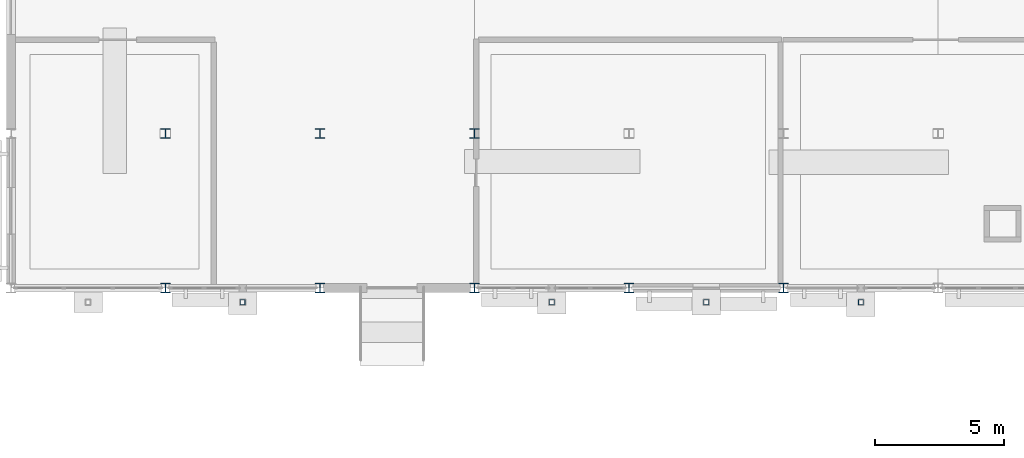
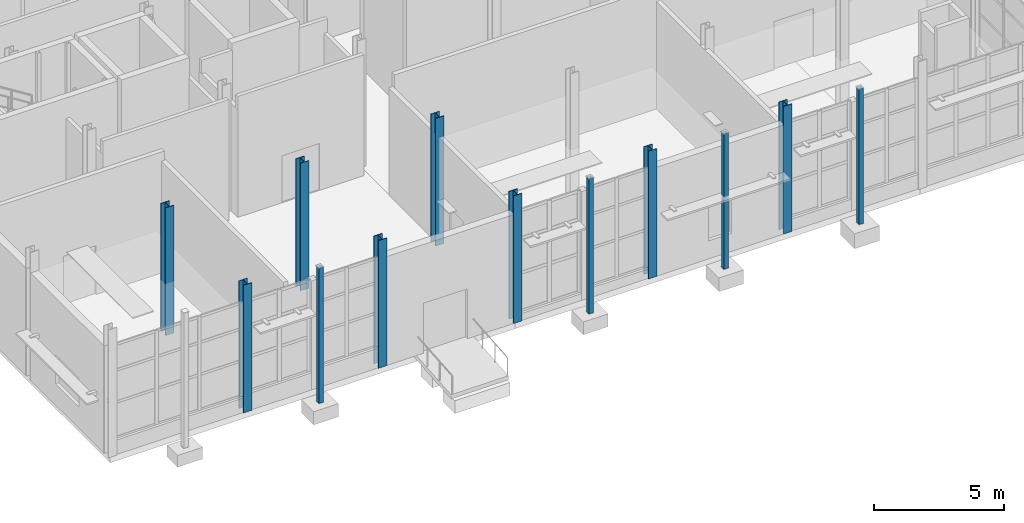
# One storey, part 27 of 120: 12 columns.
"""IFC4 building model written with IfcOpenShell, lengths in metres."""

from ifc_helpers import new_model, si_unit, direction, frame, origin, origin_2d, place, context, subcontext, project, spatial, hollow_rectangle, i_section, extrude, material, material_profile, profile_set, type_object, element, save


model = new_model("IFC4")

# Units and contexts
model_context = context("Model", 3, precision=1e-05, world=origin(), true_north=direction((0.0, 1.0)))
body_context = subcontext(model_context, "Body", "Model", "MODEL_VIEW")
ifc_project = project(units=[si_unit("LENGTHUNIT", "METRE"), si_unit("AREAUNIT", "SQUARE_METRE"), si_unit("VOLUMEUNIT", "CUBIC_METRE"), si_unit("PLANEANGLEUNIT", "RADIAN"), si_unit("MASSUNIT", "GRAM", prefix="KILO")], contexts=[model_context])

# Site, building, storey
site_placement = place(None, origin())
site = spatial("IfcSite", under=ifc_project, at=site_placement, CompositionType="ELEMENT")
building_placement = place(site_placement, origin())
building = spatial("IfcBuilding", under=site, at=building_placement, Name="Siltcreek Boulevard Central Fire Station", CompositionType="ELEMENT")
storey_placement = place(building_placement, origin())
storey = spatial("IfcBuildingStorey", under=building, at=storey_placement, Name="L01", CompositionType="ELEMENT", Elevation=0.0)

# Columns
ifc_material_1 = material(Name="Structural steel ASTM A992 Gr50", Category="steel")
ifc_material_profile_1 = material_profile(ifc_material_1, i_section(OverallWidth=0.3740234375, OverallDepth=0.3720703125, WebThickness=0.016357421875, FlangeThickness=0.026123046875, at=origin_2d()), Name="W360X196")
ifc_profile_set_1 = profile_set([ifc_material_profile_1], Name="Structural steel ASTM A992 Gr50")
column_type_1 = type_object("IfcColumnType", Name="COL_W360X196", PredefinedType="COLUMN", material=ifc_profile_set_1)
for number, where, z_axis, x_axis, name in (
    (1, (130.199951171875, 88.199951171875, 0.0), (0.0, 0.0, 1.0), (1.0, 0.0, 0.0), "L01 structural column COLG-L01-1302-882"),
    (2, (130.199951171875, 94.199951171875, 0.0), (0.0, 0.0, 1.0), (1.0, 0.0, 0.0), "L01 structural column COLG-L01-1302-942"),
    (3, (136.199951171875, 88.199951171875, 0.0), (0.0, 0.0, 1.0), (1.0, 0.0, 0.0), "L01 structural column COLG-L01-1362-882"),
    (4, (136.199951171875, 94.199951171875, 0.0), (0.0, 0.0, 1.0), (1.0, 0.0, 0.0), "L01 structural column COLG-L01-1362-942"),
    (5, (142.199951171875, 88.199951171875, 0.0), (0.0, 0.0, 1.0), (1.0, 0.0, 0.0), "L01 structural column COLG-L01-1422-882"),
    (6, (142.199951171875, 94.199951171875, 0.0), (0.0, 0.0, 1.0), (1.0, 0.0, 0.0), "L01 structural column COLG-L01-1422-942"),
    (7, (148.199951171875, 88.199951171875, 0.0), (0.0, 0.0, 1.0), (1.0, 0.0, 0.0), "L01 structural column COLG-L01-1482-882"),
    (8, (154.199951171875, 88.199951171875, 0.0), (0.0, 0.0, 1.0), (1.0, 0.0, 0.0), "L01 structural column COLG-L01-1542-882"),
):
    element("IfcColumn", number, at=place(storey_placement, frame(where, z_axis=z_axis, x_axis=x_axis)), inside=storey, type_object=column_type_1, Name=name, PredefinedType="COLUMN", context=body_context, shape_type="SweptSolid", body=[
        extrude(i_section(OverallWidth=0.3740234375, OverallDepth=0.3720703125, WebThickness=0.016357421875, FlangeThickness=0.026123046875, at=origin_2d()), origin(), (0.0, 0.0, 1.0), 6.0),
    ])
ifc_material_2 = material(Name="Structural steel ASTM A500 GrC", Category="steel")
ifc_material_profile_2 = material_profile(ifc_material_2, hollow_rectangle(XDim=0.199951171875, YDim=0.199951171875, WallThickness=0.009521484375, at=origin_2d()), Name="HSS200X200X9.5")
ifc_profile_set_2 = profile_set([ifc_material_profile_2], Name="Structural steel ASTM A500 GrC")
column_type_2 = type_object("IfcColumnType", Name="PIL_HSS200X200", PredefinedType="PILASTER", material=ifc_profile_set_2)
for number, where, z_axis, x_axis, name in (
    (9, (133.199951171875, 87.64990234375, -0.35009765625), (0.0, 0.0, 1.0), (1.0, 0.0, 0.0), "Terracotta pier pilaster column PL-17"),
    (10, (145.199951171875, 87.64990234375, -0.35009765625), (0.0, 0.0, 1.0), (1.0, 0.0, 0.0), "Terracotta pier pilaster column PL-18"),
    (11, (151.199951171875, 87.64990234375, -0.35009765625), (0.0, 0.0, 1.0), (1.0, 0.0, 0.0), "Terracotta pier pilaster column PL-19"),
    (12, (157.199951171875, 87.64990234375, -0.35009765625), (0.0, 0.0, 1.0), (1.0, 0.0, 0.0), "Terracotta pier pilaster column PL-20"),
):
    element("IfcColumn", number, at=place(storey_placement, frame(where, z_axis=z_axis, x_axis=x_axis)), inside=storey, type_object=column_type_2, Name=name, PredefinedType="PILASTER", context=body_context, shape_type="SweptSolid", body=[
        extrude(hollow_rectangle(XDim=0.199951171875, YDim=0.199951171875, WallThickness=0.009521484375, at=origin_2d()), origin(), (0.0, 0.0, 1.0), 6.35009765625),
    ])

save(model, "model.ifc")
